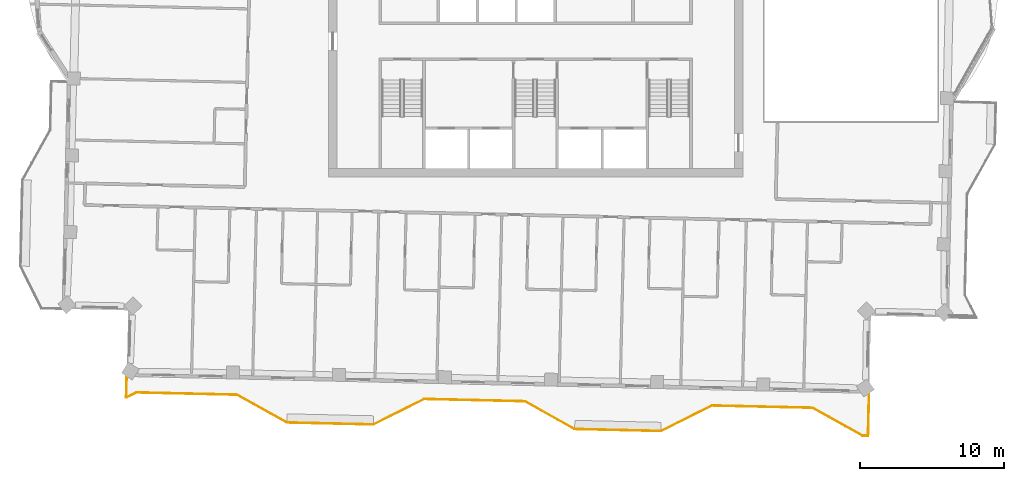
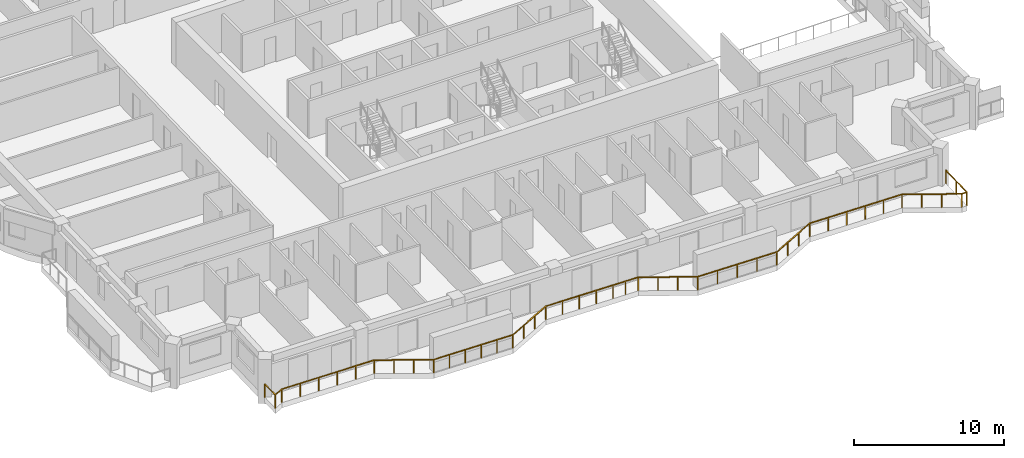
# One storey, part 13 of 15: 1 railing.
"""IFC4 building model written with IfcOpenShell, lengths in metres."""

from ifc_helpers import new_model, si_unit, direction, frame, origin, origin_2d, place, context, subcontext, project, spatial, rectangle, extrude, material, type_object, element, save


model = new_model("IFC4")

# Units and contexts
model_context = context("Model", 3, precision=1e-05, world=origin(), true_north=direction((0.0, 1.0)))
body_context = subcontext(model_context, "Body", "Model", "MODEL_VIEW")
ifc_project = project(units=[si_unit("LENGTHUNIT", "METRE"), si_unit("AREAUNIT", "SQUARE_METRE"), si_unit("VOLUMEUNIT", "CUBIC_METRE"), si_unit("PLANEANGLEUNIT", "RADIAN"), si_unit("MASSUNIT", "GRAM", prefix="KILO")], contexts=[model_context])

# Site, building, storey
site_placement = place(None, origin())
site = spatial("IfcSite", under=ifc_project, at=site_placement, CompositionType="ELEMENT")
building_placement = place(site_placement, origin())
building = spatial("IfcBuilding", under=site, at=building_placement, Name="Mangrove Gate Tower", CompositionType="ELEMENT")
storey_placement = place(building_placement, frame((0.0, 0.0, 306.10009765625)))
storey = spatial("IfcBuildingStorey", under=building, at=storey_placement, Name="L78", CompositionType="ELEMENT", Elevation=306.10009765625)

# Railing
ifc_material = material(Name="Stainless steel grade 316 with laminated glass infill", Category="steel")
railing_type = type_object("IfcRailingType", Name="Balcony guard 1100", PredefinedType="GUARDRAIL", material=ifc_material)
railing_placement = place(storey_placement, frame((-28.41796875, -25.2890625, 0.0)))
element("IfcRailing", 1, at=railing_placement, inside=storey, type_object=railing_type, Name="GUARD L78 S1", PredefinedType="GUARDRAIL", context=body_context, shape_type="SweptSolid", body=[
    extrude(rectangle(XDim=0.048095703125, YDim=0.048095703125, at=origin_2d()), frame((0.0, 0.0, 1.076171875), z_axis=(-0.022376080773, -0.999749624161, 0.0), x_axis=(0.999749624161, -0.022376080773, 0.0)), (0.0, 0.0, 1.0), 1.42919921875),
    extrude(rectangle(XDim=0.048095703125, YDim=0.048095703125, at=origin_2d()), frame((-0.031982421875, -1.428955078125, 1.076171875), z_axis=(0.894427191, 0.4472135955, 0.0), x_axis=(-0.4472135955, 0.894427191, 0.0)), (0.0, 0.0, 1.0), 0.79150390625),
    extrude(rectangle(XDim=0.048095703125, YDim=0.048095703125, at=origin_2d()), frame((0.676025390625, -1.074951171875, 1.076171875), z_axis=(0.999742195543, -0.022705559911, 0.0), x_axis=(0.022705559911, 0.999742195543, 0.0)), (0.0, 0.0, 1.0), 6.999755859375),
    extrude(rectangle(XDim=0.048095703125, YDim=0.048095703125, at=origin_2d()), frame((7.674072265625, -1.23388671875, 1.076171875), z_axis=(0.873242256246, -0.487286324359, 0.0), x_axis=(0.487286324359, 0.873242256246, 0.0)), (0.0, 0.0, 1.0), 3.95849609375),
    extrude(rectangle(XDim=0.048095703125, YDim=0.048095703125, at=origin_2d()), frame((11.130859375, -3.162841796875, 1.076171875), z_axis=(0.999743178102, -0.022662255828, 0.0), x_axis=(0.022662255828, 0.999743178102, 0.0)), (0.0, 0.0, 1.0), 6.00048828125),
    extrude(rectangle(XDim=0.048095703125, YDim=0.048095703125, at=origin_2d()), frame((17.1298828125, -3.298828125, 1.076171875), z_axis=(0.894501186021, 0.447065574839, 0.0), x_axis=(-0.447065574839, 0.894501186021, 0.0)), (0.0, 0.0, 1.0), 3.958740234375),
    extrude(rectangle(XDim=0.048095703125, YDim=0.048095703125, at=origin_2d()), frame((20.6708984375, -1.529052734375, 1.076171875), z_axis=(0.999741390457, -0.022740980771, 0.0), x_axis=(0.022740980771, 0.999741390457, 0.0)), (0.0, 0.0, 1.0), 5.099365234375),
    extrude(rectangle(XDim=0.048095703125, YDim=0.048095703125, at=origin_2d()), frame((25.76904296875, -1.64501953125, 1.076171875), z_axis=(0.999744349692, -0.022610512149, 0.0), x_axis=(0.022610512149, 0.999744349692, 0.0)), (0.0, 0.0, 1.0), 1.900390625),
    extrude(rectangle(XDim=0.048095703125, YDim=0.048095703125, at=origin_2d()), frame((27.6689453125, -1.68798828125, 1.076171875), z_axis=(0.87325689943, -0.48726008209, 0.0), x_axis=(0.48726008209, 0.87325689943, 0.0)), (0.0, 0.0, 1.0), 3.958740234375),
    extrude(rectangle(XDim=0.048095703125, YDim=0.048095703125, at=origin_2d()), frame((31.1259765625, -3.616943359375, 1.076171875), z_axis=(0.999743094499, -0.022665943652, 0.0), x_axis=(0.022665943652, 0.999743094499, 0.0)), (0.0, 0.0, 1.0), 5.99951171875),
    extrude(rectangle(XDim=0.048095703125, YDim=0.048095703125, at=origin_2d()), frame((37.1240234375, -3.7529296875, 1.076171875), z_axis=(0.894525821107, 0.447016280881, 0.0), x_axis=(-0.447016280881, 0.894525821107, 0.0)), (0.0, 0.0, 1.0), 3.959716796875),
    extrude(rectangle(XDim=0.048095703125, YDim=0.048095703125, at=origin_2d()), frame((40.666015625, -1.98291015625, 1.076171875), z_axis=(0.999745352708, -0.022566119286, 0.0), x_axis=(0.022566119286, 0.999745352708, 0.0)), (0.0, 0.0, 1.0), 6.999755859375),
    extrude(rectangle(XDim=0.048095703125, YDim=0.048095703125, at=origin_2d()), frame((47.6640625, -2.140869140625, 1.076171875), z_axis=(0.873242256246, -0.487286324359, 0.0), x_axis=(0.487286324359, 0.873242256246, 0.0)), (0.0, 0.0, 1.0), 3.95849609375),
    extrude(rectangle(XDim=0.048095703125, YDim=0.048095703125, at=origin_2d()), frame((51.120849609375, -4.06982421875, 1.076171875), z_axis=(0.999745287892, -0.022568990636, 0.0), x_axis=(0.022568990636, 0.999745287892, 0.0)), (0.0, 0.0, 1.0), 0.400146484375),
    extrude(rectangle(XDim=0.048095703125, YDim=0.048095703125, at=origin_2d()), frame((51.52099609375, -4.078857421875, 1.076171875), z_axis=(0.022654696127, 0.999743349437, 0.0), x_axis=(-0.999743349437, 0.022654696127, 0.0)), (0.0, 0.0, 1.0), 2.90966796875),
    extrude(rectangle(XDim=0.0419921875, YDim=0.0419921875, at=origin_2d()), origin(), (0.0, 0.0, 1.0), 1.052001953125),
    extrude(rectangle(XDim=0.0419921875, YDim=0.0419921875, at=origin_2d()), frame((-0.031982421875, -1.428955078125, 0.0)), (0.0, 0.0, 1.0), 1.052001953125),
    extrude(rectangle(XDim=0.0419921875, YDim=0.0419921875, at=origin_2d()), frame((0.676025390625, -1.074951171875, 0.0)), (0.0, 0.0, 1.0), 1.052001953125),
    extrude(rectangle(XDim=0.0419921875, YDim=0.0419921875, at=origin_2d()), frame((2.07568359375, -1.106689453125, 0.0)), (0.0, 0.0, 1.0), 1.052001953125),
    extrude(rectangle(XDim=0.0419921875, YDim=0.0419921875, at=origin_2d()), frame((3.475341796875, -1.138427734375, 0.0)), (0.0, 0.0, 1.0), 1.052001953125),
    extrude(rectangle(XDim=0.0419921875, YDim=0.0419921875, at=origin_2d()), frame((4.874755859375, -1.17041015625, 0.0)), (0.0, 0.0, 1.0), 1.052001953125),
    extrude(rectangle(XDim=0.0419921875, YDim=0.0419921875, at=origin_2d()), frame((6.2744140625, -1.2021484375, 0.0)), (0.0, 0.0, 1.0), 1.052001953125),
    extrude(rectangle(XDim=0.0419921875, YDim=0.0419921875, at=origin_2d()), frame((7.674072265625, -1.23388671875, 0.0)), (0.0, 0.0, 1.0), 1.052001953125),
    extrude(rectangle(XDim=0.0419921875, YDim=0.0419921875, at=origin_2d()), frame((8.826416015625, -1.876953125, 0.0)), (0.0, 0.0, 1.0), 1.052001953125),
    extrude(rectangle(XDim=0.0419921875, YDim=0.0419921875, at=origin_2d()), frame((9.978515625, -2.519775390625, 0.0)), (0.0, 0.0, 1.0), 1.052001953125),
    extrude(rectangle(XDim=0.0419921875, YDim=0.0419921875, at=origin_2d()), frame((11.130859375, -3.162841796875, 0.0)), (0.0, 0.0, 1.0), 1.052001953125),
    extrude(rectangle(XDim=0.0419921875, YDim=0.0419921875, at=origin_2d()), frame((12.33056640625, -3.18994140625, 0.0)), (0.0, 0.0, 1.0), 1.052001953125),
    extrude(rectangle(XDim=0.0419921875, YDim=0.0419921875, at=origin_2d()), frame((13.530517578125, -3.21728515625, 0.0)), (0.0, 0.0, 1.0), 1.052001953125),
    extrude(rectangle(XDim=0.0419921875, YDim=0.0419921875, at=origin_2d()), frame((14.730224609375, -3.244384765625, 0.0)), (0.0, 0.0, 1.0), 1.052001953125),
    extrude(rectangle(XDim=0.0419921875, YDim=0.0419921875, at=origin_2d()), frame((15.93017578125, -3.271728515625, 0.0)), (0.0, 0.0, 1.0), 1.052001953125),
    extrude(rectangle(XDim=0.0419921875, YDim=0.0419921875, at=origin_2d()), frame((17.1298828125, -3.298828125, 0.0)), (0.0, 0.0, 1.0), 1.052001953125),
    extrude(rectangle(XDim=0.0419921875, YDim=0.0419921875, at=origin_2d()), frame((18.310302734375, -2.708984375, 0.0)), (0.0, 0.0, 1.0), 1.052001953125),
    extrude(rectangle(XDim=0.0419921875, YDim=0.0419921875, at=origin_2d()), frame((19.490478515625, -2.118896484375, 0.0)), (0.0, 0.0, 1.0), 1.052001953125),
    extrude(rectangle(XDim=0.0419921875, YDim=0.0419921875, at=origin_2d()), frame((20.6708984375, -1.529052734375, 0.0)), (0.0, 0.0, 1.0), 1.052001953125),
    extrude(rectangle(XDim=0.0419921875, YDim=0.0419921875, at=origin_2d()), frame((21.9453125, -1.55810546875, 0.0)), (0.0, 0.0, 1.0), 1.052001953125),
    extrude(rectangle(XDim=0.0419921875, YDim=0.0419921875, at=origin_2d()), frame((23.219970703125, -1.5869140625, 0.0)), (0.0, 0.0, 1.0), 1.052001953125),
    extrude(rectangle(XDim=0.0419921875, YDim=0.0419921875, at=origin_2d()), frame((24.49462890625, -1.615966796875, 0.0)), (0.0, 0.0, 1.0), 1.052001953125),
    extrude(rectangle(XDim=0.0419921875, YDim=0.0419921875, at=origin_2d()), frame((25.76904296875, -1.64501953125, 0.0)), (0.0, 0.0, 1.0), 1.052001953125),
    extrude(rectangle(XDim=0.0419921875, YDim=0.0419921875, at=origin_2d()), frame((26.718994140625, -1.66650390625, 0.0)), (0.0, 0.0, 1.0), 1.052001953125),
    extrude(rectangle(XDim=0.0419921875, YDim=0.0419921875, at=origin_2d()), frame((27.6689453125, -1.68798828125, 0.0)), (0.0, 0.0, 1.0), 1.052001953125),
    extrude(rectangle(XDim=0.0419921875, YDim=0.0419921875, at=origin_2d()), frame((28.8212890625, -2.3310546875, 0.0)), (0.0, 0.0, 1.0), 1.052001953125),
    extrude(rectangle(XDim=0.0419921875, YDim=0.0419921875, at=origin_2d()), frame((29.9736328125, -2.973876953125, 0.0)), (0.0, 0.0, 1.0), 1.052001953125),
    extrude(rectangle(XDim=0.0419921875, YDim=0.0419921875, at=origin_2d()), frame((31.1259765625, -3.616943359375, 0.0)), (0.0, 0.0, 1.0), 1.052001953125),
    extrude(rectangle(XDim=0.0419921875, YDim=0.0419921875, at=origin_2d()), frame((32.62548828125, -3.65087890625, 0.0)), (0.0, 0.0, 1.0), 1.052001953125),
    extrude(rectangle(XDim=0.0419921875, YDim=0.0419921875, at=origin_2d()), frame((34.125, -3.68505859375, 0.0)), (0.0, 0.0, 1.0), 1.052001953125),
    extrude(rectangle(XDim=0.0419921875, YDim=0.0419921875, at=origin_2d()), frame((35.62451171875, -3.718994140625, 0.0)), (0.0, 0.0, 1.0), 1.052001953125),
    extrude(rectangle(XDim=0.0419921875, YDim=0.0419921875, at=origin_2d()), frame((37.1240234375, -3.7529296875, 0.0)), (0.0, 0.0, 1.0), 1.052001953125),
    extrude(rectangle(XDim=0.0419921875, YDim=0.0419921875, at=origin_2d()), frame((38.3046875, -3.162841796875, 0.0)), (0.0, 0.0, 1.0), 1.052001953125),
    extrude(rectangle(XDim=0.0419921875, YDim=0.0419921875, at=origin_2d()), frame((39.4853515625, -2.572998046875, 0.0)), (0.0, 0.0, 1.0), 1.052001953125),
    extrude(rectangle(XDim=0.0419921875, YDim=0.0419921875, at=origin_2d()), frame((40.666015625, -1.98291015625, 0.0)), (0.0, 0.0, 1.0), 1.052001953125),
    extrude(rectangle(XDim=0.0419921875, YDim=0.0419921875, at=origin_2d()), frame((42.065673828125, -2.014404296875, 0.0)), (0.0, 0.0, 1.0), 1.052001953125),
    extrude(rectangle(XDim=0.0419921875, YDim=0.0419921875, at=origin_2d()), frame((43.46533203125, -2.046142578125, 0.0)), (0.0, 0.0, 1.0), 1.052001953125),
    extrude(rectangle(XDim=0.0419921875, YDim=0.0419921875, at=origin_2d()), frame((44.86474609375, -2.07763671875, 0.0)), (0.0, 0.0, 1.0), 1.052001953125),
    extrude(rectangle(XDim=0.0419921875, YDim=0.0419921875, at=origin_2d()), frame((46.264404296875, -2.109375, 0.0)), (0.0, 0.0, 1.0), 1.052001953125),
    extrude(rectangle(XDim=0.0419921875, YDim=0.0419921875, at=origin_2d()), frame((47.6640625, -2.140869140625, 0.0)), (0.0, 0.0, 1.0), 1.052001953125),
    extrude(rectangle(XDim=0.0419921875, YDim=0.0419921875, at=origin_2d()), frame((48.81640625, -2.783935546875, 0.0)), (0.0, 0.0, 1.0), 1.052001953125),
    extrude(rectangle(XDim=0.0419921875, YDim=0.0419921875, at=origin_2d()), frame((49.968505859375, -3.4267578125, 0.0)), (0.0, 0.0, 1.0), 1.052001953125),
    extrude(rectangle(XDim=0.0419921875, YDim=0.0419921875, at=origin_2d()), frame((51.120849609375, -4.06982421875, 0.0)), (0.0, 0.0, 1.0), 1.052001953125),
    extrude(rectangle(XDim=0.0419921875, YDim=0.0419921875, at=origin_2d()), frame((51.52099609375, -4.078857421875, 0.0)), (0.0, 0.0, 1.0), 1.052001953125),
    extrude(rectangle(XDim=0.0419921875, YDim=0.0419921875, at=origin_2d()), frame((51.553955078125, -2.62451171875, 0.0)), (0.0, 0.0, 1.0), 1.052001953125),
    extrude(rectangle(XDim=0.0419921875, YDim=0.0419921875, at=origin_2d()), frame((51.5869140625, -1.169921875, 0.0)), (0.0, 0.0, 1.0), 1.052001953125),
])

save(model, "model.ifc")
